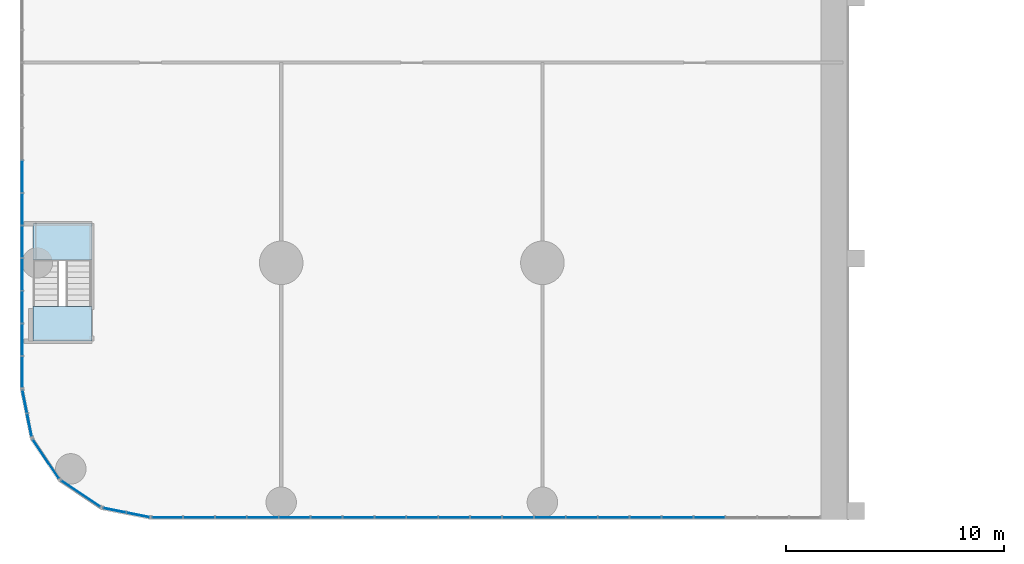
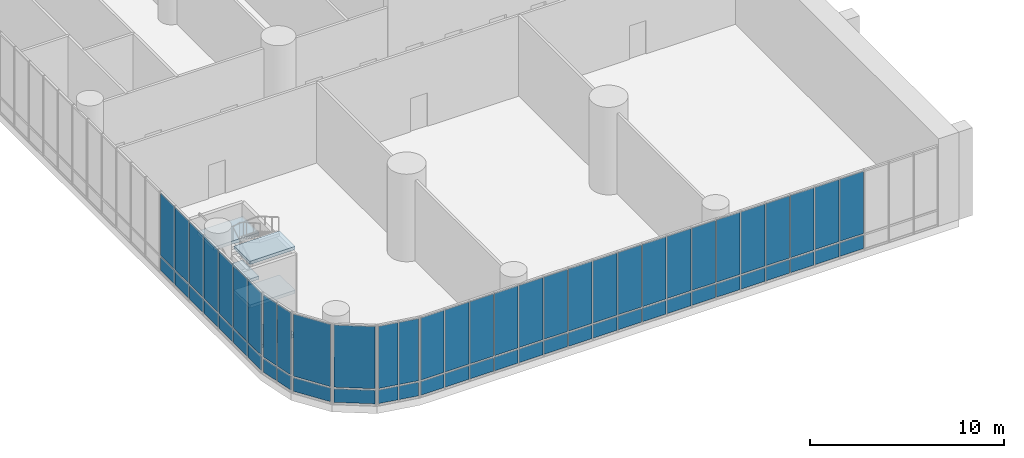
# One storey, part 16 of 28: 62 plates, 5 slabs, 7 elements without a shape of their own.
"""IFC4 building model written with IfcOpenShell, lengths in metres."""

from ifc_helpers import new_model, si_unit, direction, frame, origin, origin_2d, place, context, subcontext, project, spatial, polyline, rectangle, outline, extrude, material, layer, layer_set, type_object, element, aggregate, save


model = new_model("IFC4")

# Units and contexts
model_context = context("Model", 3, precision=1e-05, world=origin(), true_north=direction((0.0, 1.0)))
body_context = subcontext(model_context, "Body", "Model", "MODEL_VIEW")
ifc_project = project(units=[si_unit("LENGTHUNIT", "METRE"), si_unit("AREAUNIT", "SQUARE_METRE"), si_unit("VOLUMEUNIT", "CUBIC_METRE"), si_unit("PLANEANGLEUNIT", "RADIAN"), si_unit("MASSUNIT", "GRAM", prefix="KILO")], contexts=[model_context])

# Site, building, storey
site_placement = place(None, origin())
site = spatial("IfcSite", under=ifc_project, at=site_placement, CompositionType="ELEMENT")
building_placement = place(site_placement, origin())
building = spatial("IfcBuilding", under=site, at=building_placement, Name="Torana Hotel and Residences", CompositionType="ELEMENT")
storey_placement = place(building_placement, frame((0.0, 0.0, 7.0)))
storey = spatial("IfcBuildingStorey", under=building, at=storey_placement, Name="L01", CompositionType="ELEMENT", Elevation=7.0)

# Curtain wall, plates
ifc_material_1 = material(Name="Dark anodised aluminium", Category="aluminium")
ifc_layer_1 = layer(ifc_material_1, 0.14990234375)
ifc_layer_set_1 = layer_set([ifc_layer_1], Name="CW5 PODIUM UPPER UNITISED CURTAIN WALL")
curtain_wall_type = type_object("IfcCurtainWallType", Name="CW5 PODIUM UPPER UNITISED CURTAIN WALL", PredefinedType="NOTDEFINED", material=ifc_layer_set_1)
curtain_wall_1_placement = place(storey_placement, origin())
curtain_wall_1 = element("IfcCurtainWall", 1, at=curtain_wall_1_placement, inside=storey, type_object=curtain_wall_type, Name="Curtain wall CW5 L01 e0.0", PredefinedType="NOTDEFINED")
ifc_material_2 = material(Name="Glass clear low-iron laminated double glazed unit", Category="glass")
ifc_layer_2 = layer(ifc_material_2, 0.035888671875)
ifc_layer_set_2 = layer_set([ifc_layer_2], Name="CW5 DARK GLASS PANEL 36")
plate_type = type_object("IfcPlateType", Name="CW5 DARK GLASS PANEL 36", PredefinedType="CURTAIN_PANEL", material=ifc_layer_set_2)
plate_1_placement = place(storey_placement, frame((-41.2275390625, -39.89990234375, 0.099853515625), z_axis=(0.0, 0.0, 1.0), x_axis=(1.0, 0.0, 0.0)))
plate_1 = element("IfcPlate", 2, at=plate_1_placement, type_object=plate_type, Name="CW5 panel 1.1", PredefinedType="CURTAIN_PANEL", context=body_context, shape_type="SweptSolid", body=[
    extrude(rectangle(XDim=1.37548828125, YDim=0.035888671875, at=origin_2d()), origin(), (0.0, 0.0, 1.0), 0.85009765625),
])
plate_2_placement = place(storey_placement, frame((-41.2275390625, -39.89990234375, 1.050048828125), z_axis=(0.0, 0.0, 1.0), x_axis=(1.0, 0.0, 0.0)))
plate_2 = element("IfcPlate", 3, at=plate_2_placement, type_object=plate_type, Name="CW5 panel 1.2", PredefinedType="CURTAIN_PANEL", context=body_context, shape_type="SweptSolid", body=[
    extrude(rectangle(XDim=1.37548828125, YDim=0.035888671875, at=origin_2d()), origin(), (0.0, 0.0, 1.0), 3.89990234375),
])
plate_3_placement = place(storey_placement, frame((-39.777099609375, -39.89990234375, 0.099853515625), z_axis=(0.0, 0.0, 1.0), x_axis=(1.0, 0.0, 0.0)))
plate_3 = element("IfcPlate", 4, at=plate_3_placement, type_object=plate_type, Name="CW5 panel 2.1", PredefinedType="CURTAIN_PANEL", context=body_context, shape_type="SweptSolid", body=[
    extrude(rectangle(XDim=1.405517578125, YDim=0.035888671875, at=origin_2d()), origin(), (0.0, 0.0, 1.0), 0.85009765625),
])
plate_4_placement = place(storey_placement, frame((-39.777099609375, -39.89990234375, 1.050048828125), z_axis=(0.0, 0.0, 1.0), x_axis=(1.0, 0.0, 0.0)))
plate_4 = element("IfcPlate", 5, at=plate_4_placement, type_object=plate_type, Name="CW5 panel 2.2", PredefinedType="CURTAIN_PANEL", context=body_context, shape_type="SweptSolid", body=[
    extrude(rectangle(XDim=1.405517578125, YDim=0.035888671875, at=origin_2d()), origin(), (0.0, 0.0, 1.0), 3.89990234375),
])
plate_5_placement = place(storey_placement, frame((-38.311767578125, -39.89990234375, 0.099853515625), z_axis=(0.0, 0.0, 1.0), x_axis=(1.0, 0.0, 0.0)))
plate_5 = element("IfcPlate", 6, at=plate_5_placement, type_object=plate_type, Name="CW5 panel 3.1", PredefinedType="CURTAIN_PANEL", context=body_context, shape_type="SweptSolid", body=[
    extrude(rectangle(XDim=1.405517578125, YDim=0.035888671875, at=origin_2d()), origin(), (0.0, 0.0, 1.0), 0.85009765625),
])
plate_6_placement = place(storey_placement, frame((-38.311767578125, -39.89990234375, 1.050048828125), z_axis=(0.0, 0.0, 1.0), x_axis=(1.0, 0.0, 0.0)))
plate_6 = element("IfcPlate", 7, at=plate_6_placement, type_object=plate_type, Name="CW5 panel 3.2", PredefinedType="CURTAIN_PANEL", context=body_context, shape_type="SweptSolid", body=[
    extrude(rectangle(XDim=1.405517578125, YDim=0.035888671875, at=origin_2d()), origin(), (0.0, 0.0, 1.0), 3.89990234375),
])
plate_7_placement = place(storey_placement, frame((-36.84619140625, -39.89990234375, 0.099853515625), z_axis=(0.0, 0.0, 1.0), x_axis=(1.0, 0.0, 0.0)))
plate_7 = element("IfcPlate", 8, at=plate_7_placement, type_object=plate_type, Name="CW5 panel 4.1", PredefinedType="CURTAIN_PANEL", context=body_context, shape_type="SweptSolid", body=[
    extrude(rectangle(XDim=1.405517578125, YDim=0.035888671875, at=origin_2d()), origin(), (0.0, 0.0, 1.0), 0.85009765625),
])
plate_8_placement = place(storey_placement, frame((-36.84619140625, -39.89990234375, 1.050048828125), z_axis=(0.0, 0.0, 1.0), x_axis=(1.0, 0.0, 0.0)))
plate_8 = element("IfcPlate", 9, at=plate_8_placement, type_object=plate_type, Name="CW5 panel 4.2", PredefinedType="CURTAIN_PANEL", context=body_context, shape_type="SweptSolid", body=[
    extrude(rectangle(XDim=1.405517578125, YDim=0.035888671875, at=origin_2d()), origin(), (0.0, 0.0, 1.0), 3.89990234375),
])
plate_9_placement = place(storey_placement, frame((-35.380615234375, -39.89990234375, 0.099853515625), z_axis=(0.0, 0.0, 1.0), x_axis=(1.0, 0.0, 0.0)))
plate_9 = element("IfcPlate", 10, at=plate_9_placement, type_object=plate_type, Name="CW5 panel 5.1", PredefinedType="CURTAIN_PANEL", context=body_context, shape_type="SweptSolid", body=[
    extrude(rectangle(XDim=1.405517578125, YDim=0.035888671875, at=origin_2d()), origin(), (0.0, 0.0, 1.0), 0.85009765625),
])
plate_10_placement = place(storey_placement, frame((-35.380615234375, -39.89990234375, 1.050048828125), z_axis=(0.0, 0.0, 1.0), x_axis=(1.0, 0.0, 0.0)))
plate_10 = element("IfcPlate", 11, at=plate_10_placement, type_object=plate_type, Name="CW5 panel 5.2", PredefinedType="CURTAIN_PANEL", context=body_context, shape_type="SweptSolid", body=[
    extrude(rectangle(XDim=1.405517578125, YDim=0.035888671875, at=origin_2d()), origin(), (0.0, 0.0, 1.0), 3.89990234375),
])
plate_11_placement = place(storey_placement, frame((-33.915283203125, -39.89990234375, 0.099853515625), z_axis=(0.0, 0.0, 1.0), x_axis=(1.0, 0.0, 0.0)))
plate_11 = element("IfcPlate", 12, at=plate_11_placement, type_object=plate_type, Name="CW5 panel 6.1", PredefinedType="CURTAIN_PANEL", context=body_context, shape_type="SweptSolid", body=[
    extrude(rectangle(XDim=1.405517578125, YDim=0.035888671875, at=origin_2d()), origin(), (0.0, 0.0, 1.0), 0.85009765625),
])
plate_12_placement = place(storey_placement, frame((-33.915283203125, -39.89990234375, 1.050048828125), z_axis=(0.0, 0.0, 1.0), x_axis=(1.0, 0.0, 0.0)))
plate_12 = element("IfcPlate", 13, at=plate_12_placement, type_object=plate_type, Name="CW5 panel 6.2", PredefinedType="CURTAIN_PANEL", context=body_context, shape_type="SweptSolid", body=[
    extrude(rectangle(XDim=1.405517578125, YDim=0.035888671875, at=origin_2d()), origin(), (0.0, 0.0, 1.0), 3.89990234375),
])
plate_13_placement = place(storey_placement, frame((-32.44970703125, -39.89990234375, 0.099853515625), z_axis=(0.0, 0.0, 1.0), x_axis=(1.0, 0.0, 0.0)))
plate_13 = element("IfcPlate", 14, at=plate_13_placement, type_object=plate_type, Name="CW5 panel 7.1", PredefinedType="CURTAIN_PANEL", context=body_context, shape_type="SweptSolid", body=[
    extrude(rectangle(XDim=1.405517578125, YDim=0.035888671875, at=origin_2d()), origin(), (0.0, 0.0, 1.0), 0.85009765625),
])
plate_14_placement = place(storey_placement, frame((-32.44970703125, -39.89990234375, 1.050048828125), z_axis=(0.0, 0.0, 1.0), x_axis=(1.0, 0.0, 0.0)))
plate_14 = element("IfcPlate", 15, at=plate_14_placement, type_object=plate_type, Name="CW5 panel 7.2", PredefinedType="CURTAIN_PANEL", context=body_context, shape_type="SweptSolid", body=[
    extrude(rectangle(XDim=1.405517578125, YDim=0.035888671875, at=origin_2d()), origin(), (0.0, 0.0, 1.0), 3.89990234375),
])
plate_15_placement = place(storey_placement, frame((-30.984130859375, -39.89990234375, 0.099853515625), z_axis=(0.0, 0.0, 1.0), x_axis=(1.0, 0.0, 0.0)))
plate_15 = element("IfcPlate", 16, at=plate_15_placement, type_object=plate_type, Name="CW5 panel 8.1", PredefinedType="CURTAIN_PANEL", context=body_context, shape_type="SweptSolid", body=[
    extrude(rectangle(XDim=1.405517578125, YDim=0.035888671875, at=origin_2d()), origin(), (0.0, 0.0, 1.0), 0.85009765625),
])
plate_16_placement = place(storey_placement, frame((-30.984130859375, -39.89990234375, 1.050048828125), z_axis=(0.0, 0.0, 1.0), x_axis=(1.0, 0.0, 0.0)))
plate_16 = element("IfcPlate", 17, at=plate_16_placement, type_object=plate_type, Name="CW5 panel 8.2", PredefinedType="CURTAIN_PANEL", context=body_context, shape_type="SweptSolid", body=[
    extrude(rectangle(XDim=1.405517578125, YDim=0.035888671875, at=origin_2d()), origin(), (0.0, 0.0, 1.0), 3.89990234375),
])
plate_17_placement = place(storey_placement, frame((-29.518798828125, -39.89990234375, 0.099853515625), z_axis=(0.0, 0.0, 1.0), x_axis=(1.0, 0.0, 0.0)))
plate_17 = element("IfcPlate", 18, at=plate_17_placement, type_object=plate_type, Name="CW5 panel 9.1", PredefinedType="CURTAIN_PANEL", context=body_context, shape_type="SweptSolid", body=[
    extrude(rectangle(XDim=1.405517578125, YDim=0.035888671875, at=origin_2d()), origin(), (0.0, 0.0, 1.0), 0.85009765625),
])
plate_18_placement = place(storey_placement, frame((-29.518798828125, -39.89990234375, 1.050048828125), z_axis=(0.0, 0.0, 1.0), x_axis=(1.0, 0.0, 0.0)))
plate_18 = element("IfcPlate", 19, at=plate_18_placement, type_object=plate_type, Name="CW5 panel 9.2", PredefinedType="CURTAIN_PANEL", context=body_context, shape_type="SweptSolid", body=[
    extrude(rectangle(XDim=1.405517578125, YDim=0.035888671875, at=origin_2d()), origin(), (0.0, 0.0, 1.0), 3.89990234375),
])
plate_19_placement = place(storey_placement, frame((-28.05322265625, -39.89990234375, 0.099853515625), z_axis=(0.0, 0.0, 1.0), x_axis=(1.0, 0.0, 0.0)))
plate_19 = element("IfcPlate", 20, at=plate_19_placement, type_object=plate_type, Name="CW5 panel 10.1", PredefinedType="CURTAIN_PANEL", context=body_context, shape_type="SweptSolid", body=[
    extrude(rectangle(XDim=1.405517578125, YDim=0.035888671875, at=origin_2d()), origin(), (0.0, 0.0, 1.0), 0.85009765625),
])
plate_20_placement = place(storey_placement, frame((-28.05322265625, -39.89990234375, 1.050048828125), z_axis=(0.0, 0.0, 1.0), x_axis=(1.0, 0.0, 0.0)))
plate_20 = element("IfcPlate", 21, at=plate_20_placement, type_object=plate_type, Name="CW5 panel 10.2", PredefinedType="CURTAIN_PANEL", context=body_context, shape_type="SweptSolid", body=[
    extrude(rectangle(XDim=1.405517578125, YDim=0.035888671875, at=origin_2d()), origin(), (0.0, 0.0, 1.0), 3.89990234375),
])
plate_21_placement = place(storey_placement, frame((-26.587646484375, -39.89990234375, 0.099853515625), z_axis=(0.0, 0.0, 1.0), x_axis=(1.0, 0.0, 0.0)))
plate_21 = element("IfcPlate", 22, at=plate_21_placement, type_object=plate_type, Name="CW5 panel 11.1", PredefinedType="CURTAIN_PANEL", context=body_context, shape_type="SweptSolid", body=[
    extrude(rectangle(XDim=1.405517578125, YDim=0.035888671875, at=origin_2d()), origin(), (0.0, 0.0, 1.0), 0.85009765625),
])
plate_22_placement = place(storey_placement, frame((-26.587646484375, -39.89990234375, 1.050048828125), z_axis=(0.0, 0.0, 1.0), x_axis=(1.0, 0.0, 0.0)))
plate_22 = element("IfcPlate", 23, at=plate_22_placement, type_object=plate_type, Name="CW5 panel 11.2", PredefinedType="CURTAIN_PANEL", context=body_context, shape_type="SweptSolid", body=[
    extrude(rectangle(XDim=1.405517578125, YDim=0.035888671875, at=origin_2d()), origin(), (0.0, 0.0, 1.0), 3.89990234375),
])
plate_23_placement = place(storey_placement, frame((-25.122314453125, -39.89990234375, 0.099853515625), z_axis=(0.0, 0.0, 1.0), x_axis=(1.0, 0.0, 0.0)))
plate_23 = element("IfcPlate", 24, at=plate_23_placement, type_object=plate_type, Name="CW5 panel 12.1", PredefinedType="CURTAIN_PANEL", context=body_context, shape_type="SweptSolid", body=[
    extrude(rectangle(XDim=1.405517578125, YDim=0.035888671875, at=origin_2d()), origin(), (0.0, 0.0, 1.0), 0.85009765625),
])
plate_24_placement = place(storey_placement, frame((-25.122314453125, -39.89990234375, 1.050048828125), z_axis=(0.0, 0.0, 1.0), x_axis=(1.0, 0.0, 0.0)))
plate_24 = element("IfcPlate", 25, at=plate_24_placement, type_object=plate_type, Name="CW5 panel 12.2", PredefinedType="CURTAIN_PANEL", context=body_context, shape_type="SweptSolid", body=[
    extrude(rectangle(XDim=1.405517578125, YDim=0.035888671875, at=origin_2d()), origin(), (0.0, 0.0, 1.0), 3.89990234375),
])
plate_25_placement = place(storey_placement, frame((-23.65673828125, -39.89990234375, 0.099853515625), z_axis=(0.0, 0.0, 1.0), x_axis=(1.0, 0.0, 0.0)))
plate_25 = element("IfcPlate", 26, at=plate_25_placement, type_object=plate_type, Name="CW5 panel 13.1", PredefinedType="CURTAIN_PANEL", context=body_context, shape_type="SweptSolid", body=[
    extrude(rectangle(XDim=1.405517578125, YDim=0.035888671875, at=origin_2d()), origin(), (0.0, 0.0, 1.0), 0.85009765625),
])
plate_26_placement = place(storey_placement, frame((-23.65673828125, -39.89990234375, 1.050048828125), z_axis=(0.0, 0.0, 1.0), x_axis=(1.0, 0.0, 0.0)))
plate_26 = element("IfcPlate", 27, at=plate_26_placement, type_object=plate_type, Name="CW5 panel 13.2", PredefinedType="CURTAIN_PANEL", context=body_context, shape_type="SweptSolid", body=[
    extrude(rectangle(XDim=1.405517578125, YDim=0.035888671875, at=origin_2d()), origin(), (0.0, 0.0, 1.0), 3.89990234375),
])
plate_27_placement = place(storey_placement, frame((-22.191162109375, -39.89990234375, 0.099853515625), z_axis=(0.0, 0.0, 1.0), x_axis=(1.0, 0.0, 0.0)))
plate_27 = element("IfcPlate", 28, at=plate_27_placement, type_object=plate_type, Name="CW5 panel 14.1", PredefinedType="CURTAIN_PANEL", context=body_context, shape_type="SweptSolid", body=[
    extrude(rectangle(XDim=1.405517578125, YDim=0.035888671875, at=origin_2d()), origin(), (0.0, 0.0, 1.0), 0.85009765625),
])
plate_28_placement = place(storey_placement, frame((-22.191162109375, -39.89990234375, 1.050048828125), z_axis=(0.0, 0.0, 1.0), x_axis=(1.0, 0.0, 0.0)))
plate_28 = element("IfcPlate", 29, at=plate_28_placement, type_object=plate_type, Name="CW5 panel 14.2", PredefinedType="CURTAIN_PANEL", context=body_context, shape_type="SweptSolid", body=[
    extrude(rectangle(XDim=1.405517578125, YDim=0.035888671875, at=origin_2d()), origin(), (0.0, 0.0, 1.0), 3.89990234375),
])
plate_29_placement = place(storey_placement, frame((-20.725830078125, -39.89990234375, 0.099853515625), z_axis=(0.0, 0.0, 1.0), x_axis=(1.0, 0.0, 0.0)))
plate_29 = element("IfcPlate", 30, at=plate_29_placement, type_object=plate_type, Name="CW5 panel 15.1", PredefinedType="CURTAIN_PANEL", context=body_context, shape_type="SweptSolid", body=[
    extrude(rectangle(XDim=1.405517578125, YDim=0.035888671875, at=origin_2d()), origin(), (0.0, 0.0, 1.0), 0.85009765625),
])
plate_30_placement = place(storey_placement, frame((-20.725830078125, -39.89990234375, 1.050048828125), z_axis=(0.0, 0.0, 1.0), x_axis=(1.0, 0.0, 0.0)))
plate_30 = element("IfcPlate", 31, at=plate_30_placement, type_object=plate_type, Name="CW5 panel 15.2", PredefinedType="CURTAIN_PANEL", context=body_context, shape_type="SweptSolid", body=[
    extrude(rectangle(XDim=1.405517578125, YDim=0.035888671875, at=origin_2d()), origin(), (0.0, 0.0, 1.0), 3.89990234375),
])
plate_31_placement = place(storey_placement, frame((-19.26025390625, -39.89990234375, 0.099853515625), z_axis=(0.0, 0.0, 1.0), x_axis=(1.0, 0.0, 0.0)))
plate_31 = element("IfcPlate", 32, at=plate_31_placement, type_object=plate_type, Name="CW5 panel 16.1", PredefinedType="CURTAIN_PANEL", context=body_context, shape_type="SweptSolid", body=[
    extrude(rectangle(XDim=1.405517578125, YDim=0.035888671875, at=origin_2d()), origin(), (0.0, 0.0, 1.0), 0.85009765625),
])
plate_32_placement = place(storey_placement, frame((-19.26025390625, -39.89990234375, 1.050048828125), z_axis=(0.0, 0.0, 1.0), x_axis=(1.0, 0.0, 0.0)))
plate_32 = element("IfcPlate", 33, at=plate_32_placement, type_object=plate_type, Name="CW5 panel 16.2", PredefinedType="CURTAIN_PANEL", context=body_context, shape_type="SweptSolid", body=[
    extrude(rectangle(XDim=1.405517578125, YDim=0.035888671875, at=origin_2d()), origin(), (0.0, 0.0, 1.0), 3.89990234375),
])
plate_33_placement = place(storey_placement, frame((-17.794677734375, -39.89990234375, 0.099853515625), z_axis=(0.0, 0.0, 1.0), x_axis=(1.0, 0.0, 0.0)))
plate_33 = element("IfcPlate", 34, at=plate_33_placement, type_object=plate_type, Name="CW5 panel 17.1", PredefinedType="CURTAIN_PANEL", context=body_context, shape_type="SweptSolid", body=[
    extrude(rectangle(XDim=1.405517578125, YDim=0.035888671875, at=origin_2d()), origin(), (0.0, 0.0, 1.0), 0.85009765625),
])
plate_34_placement = place(storey_placement, frame((-17.794677734375, -39.89990234375, 1.050048828125), z_axis=(0.0, 0.0, 1.0), x_axis=(1.0, 0.0, 0.0)))
plate_34 = element("IfcPlate", 35, at=plate_34_placement, type_object=plate_type, Name="CW5 panel 17.2", PredefinedType="CURTAIN_PANEL", context=body_context, shape_type="SweptSolid", body=[
    extrude(rectangle(XDim=1.405517578125, YDim=0.035888671875, at=origin_2d()), origin(), (0.0, 0.0, 1.0), 3.89990234375),
])
plate_35_placement = place(storey_placement, frame((-16.329345703125, -39.89990234375, 0.099853515625), z_axis=(0.0, 0.0, 1.0), x_axis=(1.0, 0.0, 0.0)))
plate_35 = element("IfcPlate", 36, at=plate_35_placement, type_object=plate_type, Name="CW5 panel 18.1", PredefinedType="CURTAIN_PANEL", context=body_context, shape_type="SweptSolid", body=[
    extrude(rectangle(XDim=1.405517578125, YDim=0.035888671875, at=origin_2d()), origin(), (0.0, 0.0, 1.0), 0.85009765625),
])
plate_36_placement = place(storey_placement, frame((-16.329345703125, -39.89990234375, 1.050048828125), z_axis=(0.0, 0.0, 1.0), x_axis=(1.0, 0.0, 0.0)))
plate_36 = element("IfcPlate", 37, at=plate_36_placement, type_object=plate_type, Name="CW5 panel 18.2", PredefinedType="CURTAIN_PANEL", context=body_context, shape_type="SweptSolid", body=[
    extrude(rectangle(XDim=1.405517578125, YDim=0.035888671875, at=origin_2d()), origin(), (0.0, 0.0, 1.0), 3.89990234375),
])
aggregate(curtain_wall_1, [plate_1, plate_2, plate_3, plate_4, plate_5, plate_6, plate_7, plate_8, plate_9, plate_10, plate_11, plate_12, plate_13, plate_14, plate_15, plate_16, plate_17, plate_18, plate_19, plate_20, plate_21, plate_22, plate_23, plate_24, plate_25, plate_26, plate_27, plate_28, plate_29, plate_30, plate_31, plate_32, plate_33, plate_34, plate_35, plate_36])

curtain_wall_2_placement = place(storey_placement, origin())
curtain_wall_2 = element("IfcCurtainWall", 38, at=curtain_wall_2_placement, inside=storey, type_object=curtain_wall_type, Name="Curtain wall CW5 L01 e0.7", PredefinedType="NOTDEFINED")
plate_37_placement = place(storey_placement, frame((-47.89990234375, -24.23876953125, 0.099853515625), z_axis=(0.0, 0.0, 1.0), x_axis=(0.0, -1.0, 0.0)))
plate_37 = element("IfcPlate", 39, at=plate_37_placement, type_object=plate_type, Name="CW5 panel 18.1", PredefinedType="CURTAIN_PANEL", context=body_context, shape_type="SweptSolid", body=[
    extrude(rectangle(XDim=1.43798828125, YDim=0.035888671875, at=origin_2d()), origin(), (0.0, 0.0, 1.0), 0.85009765625),
])
plate_38_placement = place(storey_placement, frame((-47.89990234375, -24.23876953125, 1.050048828125), z_axis=(0.0, 0.0, 1.0), x_axis=(0.0, -1.0, 0.0)))
plate_38 = element("IfcPlate", 40, at=plate_38_placement, type_object=plate_type, Name="CW5 panel 18.2", PredefinedType="CURTAIN_PANEL", context=body_context, shape_type="SweptSolid", body=[
    extrude(rectangle(XDim=1.43798828125, YDim=0.035888671875, at=origin_2d()), origin(), (0.0, 0.0, 1.0), 3.89990234375),
])
plate_39_placement = place(storey_placement, frame((-47.89990234375, -25.736572265625, 0.099853515625), z_axis=(0.0, 0.0, 1.0), x_axis=(0.0, -1.0, 0.0)))
plate_39 = element("IfcPlate", 41, at=plate_39_placement, type_object=plate_type, Name="CW5 panel 19.1", PredefinedType="CURTAIN_PANEL", context=body_context, shape_type="SweptSolid", body=[
    extrude(rectangle(XDim=1.43798828125, YDim=0.035888671875, at=origin_2d()), origin(), (0.0, 0.0, 1.0), 0.85009765625),
])
plate_40_placement = place(storey_placement, frame((-47.89990234375, -25.736572265625, 1.050048828125), z_axis=(0.0, 0.0, 1.0), x_axis=(0.0, -1.0, 0.0)))
plate_40 = element("IfcPlate", 42, at=plate_40_placement, type_object=plate_type, Name="CW5 panel 19.2", PredefinedType="CURTAIN_PANEL", context=body_context, shape_type="SweptSolid", body=[
    extrude(rectangle(XDim=1.43798828125, YDim=0.035888671875, at=origin_2d()), origin(), (0.0, 0.0, 1.0), 3.89990234375),
])
plate_41_placement = place(storey_placement, frame((-47.89990234375, -27.234619140625, 0.099853515625), z_axis=(0.0, 0.0, 1.0), x_axis=(0.0, -1.0, 0.0)))
plate_41 = element("IfcPlate", 43, at=plate_41_placement, type_object=plate_type, Name="CW5 panel 20.1", PredefinedType="CURTAIN_PANEL", context=body_context, shape_type="SweptSolid", body=[
    extrude(rectangle(XDim=1.43798828125, YDim=0.035888671875, at=origin_2d()), origin(), (0.0, 0.0, 1.0), 0.85009765625),
])
plate_42_placement = place(storey_placement, frame((-47.89990234375, -27.234619140625, 1.050048828125), z_axis=(0.0, 0.0, 1.0), x_axis=(0.0, -1.0, 0.0)))
plate_42 = element("IfcPlate", 44, at=plate_42_placement, type_object=plate_type, Name="CW5 panel 20.2", PredefinedType="CURTAIN_PANEL", context=body_context, shape_type="SweptSolid", body=[
    extrude(rectangle(XDim=1.43798828125, YDim=0.035888671875, at=origin_2d()), origin(), (0.0, 0.0, 1.0), 3.89990234375),
])
plate_43_placement = place(storey_placement, frame((-47.89990234375, -28.732666015625, 0.099853515625), z_axis=(0.0, 0.0, 1.0), x_axis=(0.0, -1.0, 0.0)))
plate_43 = element("IfcPlate", 45, at=plate_43_placement, type_object=plate_type, Name="CW5 panel 21.1", PredefinedType="CURTAIN_PANEL", context=body_context, shape_type="SweptSolid", body=[
    extrude(rectangle(XDim=1.43798828125, YDim=0.035888671875, at=origin_2d()), origin(), (0.0, 0.0, 1.0), 0.85009765625),
])
plate_44_placement = place(storey_placement, frame((-47.89990234375, -28.732666015625, 1.050048828125), z_axis=(0.0, 0.0, 1.0), x_axis=(0.0, -1.0, 0.0)))
plate_44 = element("IfcPlate", 46, at=plate_44_placement, type_object=plate_type, Name="CW5 panel 21.2", PredefinedType="CURTAIN_PANEL", context=body_context, shape_type="SweptSolid", body=[
    extrude(rectangle(XDim=1.43798828125, YDim=0.035888671875, at=origin_2d()), origin(), (0.0, 0.0, 1.0), 3.89990234375),
])
plate_45_placement = place(storey_placement, frame((-47.89990234375, -30.23046875, 0.099853515625), z_axis=(0.0, 0.0, 1.0), x_axis=(0.0, -1.0, 0.0)))
plate_45 = element("IfcPlate", 47, at=plate_45_placement, type_object=plate_type, Name="CW5 panel 22.1", PredefinedType="CURTAIN_PANEL", context=body_context, shape_type="SweptSolid", body=[
    extrude(rectangle(XDim=1.43798828125, YDim=0.035888671875, at=origin_2d()), origin(), (0.0, 0.0, 1.0), 0.85009765625),
])
plate_46_placement = place(storey_placement, frame((-47.89990234375, -30.23046875, 1.050048828125), z_axis=(0.0, 0.0, 1.0), x_axis=(0.0, -1.0, 0.0)))
plate_46 = element("IfcPlate", 48, at=plate_46_placement, type_object=plate_type, Name="CW5 panel 22.2", PredefinedType="CURTAIN_PANEL", context=body_context, shape_type="SweptSolid", body=[
    extrude(rectangle(XDim=1.43798828125, YDim=0.035888671875, at=origin_2d()), origin(), (0.0, 0.0, 1.0), 3.89990234375),
])
plate_47_placement = place(storey_placement, frame((-47.89990234375, -31.728515625, 0.099853515625), z_axis=(0.0, 0.0, 1.0), x_axis=(0.0, -1.0, 0.0)))
plate_47 = element("IfcPlate", 49, at=plate_47_placement, type_object=plate_type, Name="CW5 panel 23.1", PredefinedType="CURTAIN_PANEL", context=body_context, shape_type="SweptSolid", body=[
    extrude(rectangle(XDim=1.43798828125, YDim=0.035888671875, at=origin_2d()), origin(), (0.0, 0.0, 1.0), 0.85009765625),
])
plate_48_placement = place(storey_placement, frame((-47.89990234375, -31.728515625, 1.050048828125), z_axis=(0.0, 0.0, 1.0), x_axis=(0.0, -1.0, 0.0)))
plate_48 = element("IfcPlate", 50, at=plate_48_placement, type_object=plate_type, Name="CW5 panel 23.2", PredefinedType="CURTAIN_PANEL", context=body_context, shape_type="SweptSolid", body=[
    extrude(rectangle(XDim=1.43798828125, YDim=0.035888671875, at=origin_2d()), origin(), (0.0, 0.0, 1.0), 3.89990234375),
])
plate_49_placement = place(storey_placement, frame((-47.89990234375, -33.21142578125, 0.099853515625), z_axis=(0.0, 0.0, 1.0), x_axis=(0.0, -1.0, 0.0)))
plate_49 = element("IfcPlate", 51, at=plate_49_placement, type_object=plate_type, Name="CW5 panel 24.1", PredefinedType="CURTAIN_PANEL", context=body_context, shape_type="SweptSolid", body=[
    extrude(rectangle(XDim=1.407958984375, YDim=0.035888671875, at=origin_2d()), origin(), (0.0, 0.0, 1.0), 0.85009765625),
])
plate_50_placement = place(storey_placement, frame((-47.89990234375, -33.21142578125, 1.050048828125), z_axis=(0.0, 0.0, 1.0), x_axis=(0.0, -1.0, 0.0)))
plate_50 = element("IfcPlate", 52, at=plate_50_placement, type_object=plate_type, Name="CW5 panel 24.2", PredefinedType="CURTAIN_PANEL", context=body_context, shape_type="SweptSolid", body=[
    extrude(rectangle(XDim=1.407958984375, YDim=0.035888671875, at=origin_2d()), origin(), (0.0, 0.0, 1.0), 3.89990234375),
])
aggregate(curtain_wall_2, [plate_37, plate_38, plate_39, plate_40, plate_41, plate_42, plate_43, plate_44, plate_45, plate_46, plate_47, plate_48, plate_49, plate_50])

curtain_wall_3_placement = place(storey_placement, origin())
curtain_wall_3 = element("IfcCurtainWall", 53, at=curtain_wall_3_placement, inside=storey, type_object=curtain_wall_type, Name="Curtain wall CW5 L01 e0.8", PredefinedType="NOTDEFINED")
plate_51_placement = place(storey_placement, frame((-47.78369140625, -34.5751953125, 0.099853515625), z_axis=(0.0, 0.0, 1.0), x_axis=(0.195080996415, -0.980787135335, 0.0)))
plate_51 = element("IfcPlate", 54, at=plate_51_placement, type_object=plate_type, Name="CW5 panel 1.1", PredefinedType="CURTAIN_PANEL", context=body_context, shape_type="SweptSolid", body=[
    extrude(rectangle(XDim=1.04345703125, YDim=0.035888671875, at=origin_2d()), origin(), (0.0, 0.0, 1.0), 0.85009765625),
])
plate_52_placement = place(storey_placement, frame((-47.78369140625, -34.5751953125, 1.050048828125), z_axis=(0.0, 0.0, 1.0), x_axis=(0.195080996415, -0.980787135335, 0.0)))
plate_52 = element("IfcPlate", 55, at=plate_52_placement, type_object=plate_type, Name="CW5 panel 1.2", PredefinedType="CURTAIN_PANEL", context=body_context, shape_type="SweptSolid", body=[
    extrude(rectangle(XDim=1.04345703125, YDim=0.035888671875, at=origin_2d()), origin(), (0.0, 0.0, 1.0), 3.89990234375),
])
plate_53_placement = place(storey_placement, frame((-47.568359375, -35.6572265625, 0.099853515625), z_axis=(0.0, 0.0, 1.0), x_axis=(0.195080996415, -0.980787135335, 0.0)))
plate_53 = element("IfcPlate", 56, at=plate_53_placement, type_object=plate_type, Name="CW5 panel 2.1", PredefinedType="CURTAIN_PANEL", context=body_context, shape_type="SweptSolid", body=[
    extrude(rectangle(XDim=1.04345703125, YDim=0.035888671875, at=origin_2d()), origin(), (0.0, 0.0, 1.0), 0.85009765625),
])
plate_54_placement = place(storey_placement, frame((-47.568359375, -35.6572265625, 1.050048828125), z_axis=(0.0, 0.0, 1.0), x_axis=(0.195080996415, -0.980787135335, 0.0)))
plate_54 = element("IfcPlate", 57, at=plate_54_placement, type_object=plate_type, Name="CW5 panel 2.2", PredefinedType="CURTAIN_PANEL", context=body_context, shape_type="SweptSolid", body=[
    extrude(rectangle(XDim=1.04345703125, YDim=0.035888671875, at=origin_2d()), origin(), (0.0, 0.0, 1.0), 3.89990234375),
])
aggregate(curtain_wall_3, [plate_51, plate_52, plate_53, plate_54])

curtain_wall_4_placement = place(storey_placement, origin())
curtain_wall_4 = element("IfcCurtainWall", 58, at=curtain_wall_4_placement, inside=storey, type_object=curtain_wall_type, Name="Curtain wall CW5 L01 e0.9", PredefinedType="NOTDEFINED")
plate_55_placement = place(storey_placement, frame((-46.809814453125, -37.2138671875, 0.099853515625), z_axis=(0.0, 0.0, 1.0), x_axis=(0.555585238723, -0.831459585616, 0.0)))
plate_55 = element("IfcPlate", 59, at=plate_55_placement, type_object=plate_type, Name="CW5 panel 1.1", PredefinedType="CURTAIN_PANEL", context=body_context, shape_type="SweptSolid", body=[
    extrude(rectangle(XDim=2.12158203125, YDim=0.035888671875, at=origin_2d()), origin(), (0.0, 0.0, 1.0), 0.85009765625),
])
plate_56_placement = place(storey_placement, frame((-46.809814453125, -37.2138671875, 1.050048828125), z_axis=(0.0, 0.0, 1.0), x_axis=(0.555585238723, -0.831459585616, 0.0)))
plate_56 = element("IfcPlate", 60, at=plate_56_placement, type_object=plate_type, Name="CW5 panel 1.2", PredefinedType="CURTAIN_PANEL", context=body_context, shape_type="SweptSolid", body=[
    extrude(rectangle(XDim=2.12158203125, YDim=0.035888671875, at=origin_2d()), origin(), (0.0, 0.0, 1.0), 3.89990234375),
])
aggregate(curtain_wall_4, [plate_55, plate_56])

curtain_wall_5_placement = place(storey_placement, origin())
curtain_wall_5 = element("IfcCurtainWall", 61, at=curtain_wall_5_placement, inside=storey, type_object=curtain_wall_type, Name="Curtain wall CW5 L01 e0.10", PredefinedType="NOTDEFINED")
plate_57_placement = place(storey_placement, frame((-45.2138671875, -38.809814453125, 0.099853515625), z_axis=(0.0, 0.0, 1.0), x_axis=(0.831459585616, -0.555585238723, 0.0)))
plate_57 = element("IfcPlate", 62, at=plate_57_placement, type_object=plate_type, Name="CW5 panel 1.1", PredefinedType="CURTAIN_PANEL", context=body_context, shape_type="SweptSolid", body=[
    extrude(rectangle(XDim=2.12158203125, YDim=0.035888671875, at=origin_2d()), origin(), (0.0, 0.0, 1.0), 0.85009765625),
])
plate_58_placement = place(storey_placement, frame((-45.2138671875, -38.809814453125, 1.050048828125), z_axis=(0.0, 0.0, 1.0), x_axis=(0.831459585616, -0.555585238723, 0.0)))
plate_58 = element("IfcPlate", 63, at=plate_58_placement, type_object=plate_type, Name="CW5 panel 1.2", PredefinedType="CURTAIN_PANEL", context=body_context, shape_type="SweptSolid", body=[
    extrude(rectangle(XDim=2.12158203125, YDim=0.035888671875, at=origin_2d()), origin(), (0.0, 0.0, 1.0), 3.89990234375),
])
aggregate(curtain_wall_5, [plate_57, plate_58])

curtain_wall_6_placement = place(storey_placement, origin())
curtain_wall_6 = element("IfcCurtainWall", 64, at=curtain_wall_6_placement, inside=storey, type_object=curtain_wall_type, Name="Curtain wall CW5 L01 e0.11", PredefinedType="NOTDEFINED")
plate_59_placement = place(storey_placement, frame((-43.6572265625, -39.568359375, 0.099853515625), z_axis=(0.0, 0.0, 1.0), x_axis=(0.980787135335, -0.195080996415, 0.0)))
plate_59 = element("IfcPlate", 65, at=plate_59_placement, type_object=plate_type, Name="CW5 panel 1.1", PredefinedType="CURTAIN_PANEL", context=body_context, shape_type="SweptSolid", body=[
    extrude(rectangle(XDim=1.04345703125, YDim=0.035888671875, at=origin_2d()), origin(), (0.0, 0.0, 1.0), 0.85009765625),
])
plate_60_placement = place(storey_placement, frame((-43.6572265625, -39.568359375, 1.050048828125), z_axis=(0.0, 0.0, 1.0), x_axis=(0.980787135335, -0.195080996415, 0.0)))
plate_60 = element("IfcPlate", 66, at=plate_60_placement, type_object=plate_type, Name="CW5 panel 1.2", PredefinedType="CURTAIN_PANEL", context=body_context, shape_type="SweptSolid", body=[
    extrude(rectangle(XDim=1.04345703125, YDim=0.035888671875, at=origin_2d()), origin(), (0.0, 0.0, 1.0), 3.89990234375),
])
plate_61_placement = place(storey_placement, frame((-42.5751953125, -39.78369140625, 0.099853515625), z_axis=(0.0, 0.0, 1.0), x_axis=(0.980787135335, -0.195080996415, 0.0)))
plate_61 = element("IfcPlate", 67, at=plate_61_placement, type_object=plate_type, Name="CW5 panel 2.1", PredefinedType="CURTAIN_PANEL", context=body_context, shape_type="SweptSolid", body=[
    extrude(rectangle(XDim=1.04345703125, YDim=0.035888671875, at=origin_2d()), origin(), (0.0, 0.0, 1.0), 0.85009765625),
])
plate_62_placement = place(storey_placement, frame((-42.5751953125, -39.78369140625, 1.050048828125), z_axis=(0.0, 0.0, 1.0), x_axis=(0.980787135335, -0.195080996415, 0.0)))
plate_62 = element("IfcPlate", 68, at=plate_62_placement, type_object=plate_type, Name="CW5 panel 2.2", PredefinedType="CURTAIN_PANEL", context=body_context, shape_type="SweptSolid", body=[
    extrude(rectangle(XDim=1.04345703125, YDim=0.035888671875, at=origin_2d()), origin(), (0.0, 0.0, 1.0), 3.89990234375),
])
aggregate(curtain_wall_6, [plate_59, plate_60, plate_61, plate_62])

# Stair, slabs
ifc_material_3 = material(Name="Concrete C40/50 precast", Category="concrete")
stair_type = type_object("IfcStairType", Name="STAIR ST5 HALF TURN 1200", PredefinedType="HALF_TURN_STAIR", material=ifc_material_3)
stair_placement = place(storey_placement, origin())
stair = element("IfcStair", 69, at=stair_placement, inside=storey, type_object=stair_type, Name="Stair ST5 L01", PredefinedType="HALF_TURN_STAIR")
ifc_material_4 = material(Name="Concrete C40/50 precast", Category="concrete")
ifc_layer_3 = layer(ifc_material_4, 0.199951171875)
ifc_layer_set_3 = layer_set([ifc_layer_3], Name="STAIR LANDING 200")
slab_type = type_object("IfcSlabType", Name="STAIR LANDING 200", PredefinedType="LANDING", material=ifc_layer_set_3)
slab_1_placement = place(storey_placement, frame((0.0, 0.0, 1.175048828125)))
slab_1 = element("IfcSlab", 70, at=slab_1_placement, type_object=slab_type, Name="ST5 landing 1", PredefinedType="LANDING", context=body_context, shape_type="SweptSolid", body=[
    extrude(outline(polyline([(-47.39990234375, -28.080078125), (-44.699951171875, -28.080078125), (-44.699951171875, -26.39990234375), (-47.39990234375, -26.39990234375), (-47.39990234375, -28.080078125)])), origin(), (0.0, 0.0, 1.0), 0.199951171875),
])
slab_2_placement = place(storey_placement, frame((0.0, 0.0, -0.199951171875)))
slab_2 = element("IfcSlab", 71, at=slab_2_placement, type_object=slab_type, Name="ST5 landing 2", PredefinedType="LANDING", context=body_context, shape_type="SweptSolid", body=[
    extrude(outline(polyline([(-47.39990234375, -31.800048828125), (-44.699951171875, -31.800048828125), (-44.699951171875, -30.199951171875), (-47.39990234375, -30.199951171875), (-47.39990234375, -31.800048828125)])), origin(), (0.0, 0.0, 1.0), 0.199951171875),
])
slab_3_placement = place(storey_placement, frame((0.0, 0.0, 3.925048828125)))
slab_3 = element("IfcSlab", 72, at=slab_3_placement, type_object=slab_type, Name="ST5 landing 3", PredefinedType="LANDING", context=body_context, shape_type="SweptSolid", body=[
    extrude(outline(polyline([(-47.39990234375, -28.080078125), (-44.699951171875, -28.080078125), (-44.699951171875, -26.39990234375), (-47.39990234375, -26.39990234375), (-47.39990234375, -28.080078125)])), origin(), (0.0, 0.0, 1.0), 0.199951171875),
])
slab_4_placement = place(storey_placement, frame((0.0, 0.0, 2.550048828125)))
slab_4 = element("IfcSlab", 73, at=slab_4_placement, type_object=slab_type, Name="ST5 landing 4", PredefinedType="LANDING", context=body_context, shape_type="SweptSolid", body=[
    extrude(outline(polyline([(-47.39990234375, -31.800048828125), (-44.699951171875, -31.800048828125), (-44.699951171875, -30.199951171875), (-47.39990234375, -30.199951171875), (-47.39990234375, -31.800048828125)])), origin(), (0.0, 0.0, 1.0), 0.199951171875),
])
slab_5_placement = place(storey_placement, frame((0.0, 0.0, 5.300048828125)))
slab_5 = element("IfcSlab", 74, at=slab_5_placement, type_object=slab_type, Name="ST5 landing 5", PredefinedType="LANDING", context=body_context, shape_type="SweptSolid", body=[
    extrude(outline(polyline([(-47.39990234375, -31.800048828125), (-44.699951171875, -31.800048828125), (-44.699951171875, -30.199951171875), (-47.39990234375, -30.199951171875), (-47.39990234375, -31.800048828125)])), origin(), (0.0, 0.0, 1.0), 0.199951171875),
])
aggregate(stair, [slab_1, slab_2, slab_3, slab_4, slab_5])

save(model, "model.ifc")
